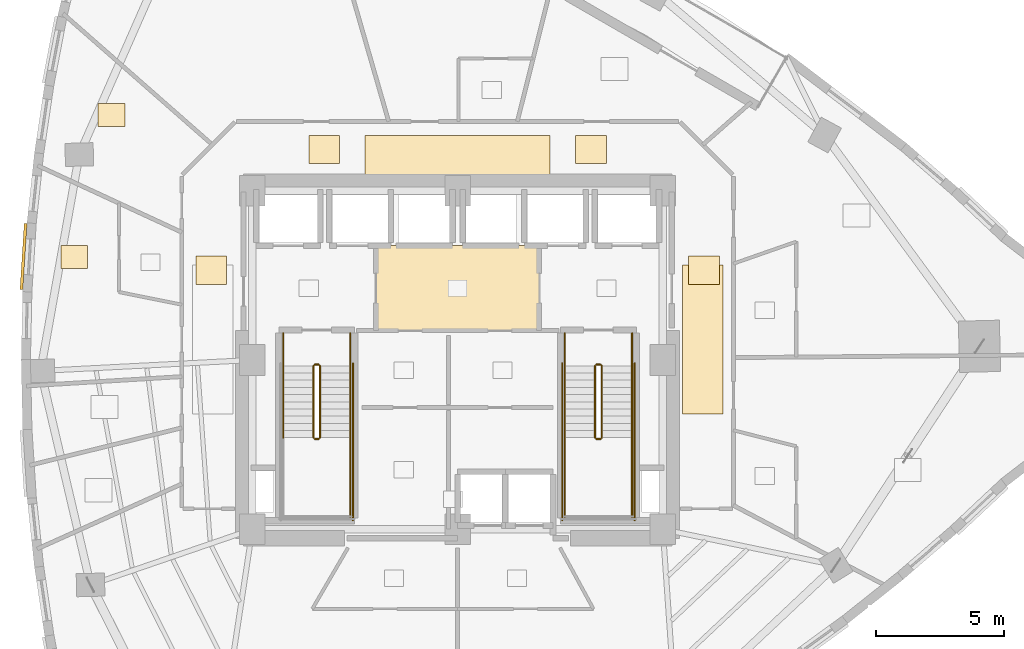
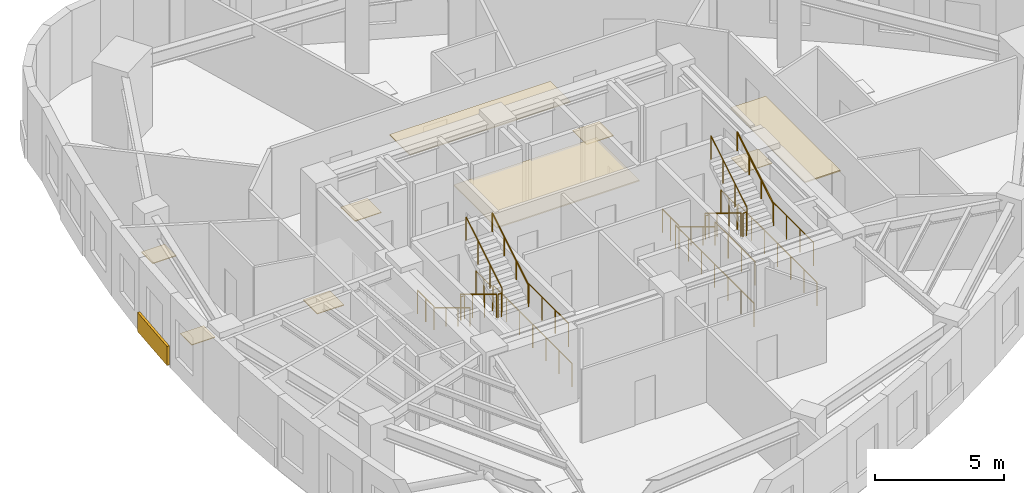
# One storey, part 13 of 14: 22 railings, 10 coverings.
"""IFC4 building model written with IfcOpenShell, lengths in metres."""

from ifc_helpers import new_model, si_unit, direction, frame, origin, origin_2d, place, context, subcontext, project, spatial, rectangle, circle, extrude, material, layer, layer_set, type_object, element, save


model = new_model("IFC4")

# Units and contexts
model_context = context("Model", 3, precision=1e-05, world=origin(), true_north=direction((0.0, 1.0)))
body_context = subcontext(model_context, "Body", "Model", "MODEL_VIEW")
ifc_project = project(units=[si_unit("LENGTHUNIT", "METRE"), si_unit("AREAUNIT", "SQUARE_METRE"), si_unit("VOLUMEUNIT", "CUBIC_METRE"), si_unit("PLANEANGLEUNIT", "RADIAN"), si_unit("MASSUNIT", "GRAM", prefix="KILO")], contexts=[model_context])

# Site, building, storey
site_placement = place(None, origin())
site = spatial("IfcSite", under=ifc_project, at=site_placement, CompositionType="ELEMENT")
building_placement = place(site_placement, origin())
building = spatial("IfcBuilding", under=site, at=building_placement, Name="Ndelora Gate Hotel", CompositionType="ELEMENT")
storey_placement = place(building_placement, frame((0.0, 0.0, 127.25)))
storey = spatial("IfcBuildingStorey", under=building, at=storey_placement, Name="L31", CompositionType="ELEMENT", Elevation=127.25)

# Coverings
ifc_material_1 = material(Name="Perforated Acoustic Gypsum Board", Category="gypsum")
ifc_layer_1 = layer(ifc_material_1, 0.054931640625)
ifc_layer_set_1 = layer_set([ifc_layer_1], Name="Perforated Acoustic Gypsum Board")
covering_type_1 = type_object("IfcCoveringType", Name="COV-CEIL-AC60", PredefinedType="CEILING", material=ifc_layer_set_1)
covering_1_placement = place(storey_placement, frame((0.0, 2.800048828125, 2.72265625), z_axis=(0.0, 0.0, 1.0), x_axis=(1.0, 0.0, 0.0)))
element("IfcCovering", 1, at=covering_1_placement, inside=storey, type_object=covering_type_1, Name="L31 Lift Lobby Acoustic Ceiling", PredefinedType="CEILING", context=body_context, shape_type="SweptSolid", body=[
    extrude(rectangle(XDim=6.39990234375, YDim=3.340087890625, at=origin_2d()), origin(), (0.0, 0.0, 1.0), 0.054931640625),
])
covering_2_placement = place(storey_placement, frame((0.0, 7.9599609375, 2.65234375), z_axis=(0.0, 0.0, 1.0), x_axis=(1.0, 0.0, 0.0)))
element("IfcCovering", 2, at=covering_2_placement, inside=storey, type_object=covering_type_1, Name="L31 Guest Corridor Acoustic Ceiling N", PredefinedType="CEILING", context=body_context, shape_type="SweptSolid", body=[
    extrude(rectangle(XDim=7.199951171875, YDim=1.580078125, at=origin_2d()), origin(), (0.0, 0.0, 1.0), 0.054931640625),
])
covering_3_placement = place(storey_placement, frame((9.550048828125, 0.800048828125, 2.65234375), z_axis=(0.0, 0.0, 1.0), x_axis=(1.0, 0.0, 0.0)))
element("IfcCovering", 3, at=covering_3_placement, inside=storey, type_object=covering_type_1, Name="L31 Guest Corridor Acoustic Ceiling E", PredefinedType="CEILING", context=body_context, shape_type="SweptSolid", body=[
    extrude(rectangle(XDim=1.580078125, YDim=5.800048828125, at=origin_2d()), origin(), (0.0, 0.0, 1.0), 0.054931640625),
])
ifc_material_2 = material(Name="Terracotta Fired Clay Brick Slip Cladding", Category="masonry")
ifc_layer_2 = layer(ifc_material_2, 0.110107421875)
ifc_layer_set_2 = layer_set([ifc_layer_2], Name="Terracotta Fired Clay Brick Slip Cladding")
covering_type_2 = type_object("IfcCoveringType", Name="COV-CLAD-BRK", PredefinedType="CLADDING", material=ifc_layer_set_2)
covering_4_placement = place(storey_placement, frame((-16.9208984375, 4.033203125, 0.10009765625), z_axis=(0.0, 0.0, 1.0), x_axis=(0.063661438132, 0.99797155335, 0.0)))
element("IfcCovering", 4, at=covering_4_placement, inside=storey, type_object=covering_type_2, Name="L31 Rounded-Corner Brick Cladding Band 13", PredefinedType="CLADDING", context=body_context, shape_type="SweptSolid", body=[
    extrude(rectangle(XDim=2.583984375, YDim=0.110107421875, at=origin_2d()), origin(), (0.0, 0.0, 1.0), 0.89990234375),
])
ifc_material_3 = material(Name="Engineered Highland Oak Parquet", Category="wood")
ifc_layer_3 = layer(ifc_material_3, 0.030029296875)
ifc_layer_set_3 = layer_set([ifc_layer_3], Name="Engineered Highland Oak Parquet")
covering_type_3 = type_object("IfcCoveringType", Name="COV-FLR-PARQ", PredefinedType="FLOORING", material=ifc_layer_set_3)
for number, where, z_axis, x_axis, name in (
    (5, (-13.49609375, 9.548828125, 0.0), (0.0, 0.0, 1.0), (1.0, 0.0, 0.0), "L31 Butler Finishing Kitchen Oak Parquet Flooring"),
    (6, (-14.9443359375, 4.015869140625, 0.0), (0.0, 0.0, 1.0), (1.0, 0.0, 0.0), "L31 Club Superior Guest Room 3406 Oak Parquet Flooring"),
):
    element("IfcCovering", number, at=place(storey_placement, frame(where, z_axis=z_axis, x_axis=x_axis)), inside=storey, type_object=covering_type_3, Name=name, PredefinedType="FLOORING", context=body_context, shape_type="SweptSolid", body=[
        extrude(rectangle(XDim=1.050048828125, YDim=0.89990234375, at=origin_2d()), origin(), (0.0, 0.0, 1.0), 0.030029296875),
    ])
ifc_material_4 = material(Name="Polished Highland Stone Terrazzo", Category="masonry")
ifc_layer_4 = layer(ifc_material_4, 0.034912109375)
ifc_layer_set_4 = layer_set([ifc_layer_4], Name="Polished Highland Stone Terrazzo")
covering_type_4 = type_object("IfcCoveringType", Name="COV-FLR-TERZ", PredefinedType="FLOORING", material=ifc_layer_set_4)
for number, where, z_axis, x_axis, name in (
    (7, (-5.199951171875, 8.199951171875, 0.0), (0.0, 0.0, 1.0), (1.0, 0.0, 0.0), "L31 Corridor Threshold Terrazzo Inlay NW"),
    (8, (5.199951171875, 8.199951171875, 0.0), (0.0, 0.0, 1.0), (1.0, 0.0, 0.0), "L31 Corridor Threshold Terrazzo Inlay NE"),
    (9, (-9.60009765625, 3.5, 0.0), (0.0, 0.0, 1.0), (1.0, 0.0, 0.0), "L31 Corridor Threshold Terrazzo Inlay W"),
    (10, (9.60009765625, 3.5, 0.0), (0.0, 0.0, 1.0), (1.0, 0.0, 0.0), "L31 Corridor Threshold Terrazzo Inlay E"),
):
    element("IfcCovering", number, at=place(storey_placement, frame(where, z_axis=z_axis, x_axis=x_axis)), inside=storey, type_object=covering_type_4, Name=name, PredefinedType="FLOORING", context=body_context, shape_type="SweptSolid", body=[
        extrude(rectangle(XDim=1.199951171875, YDim=1.10009765625, at=origin_2d()), origin(), (0.0, 0.0, 1.0), 0.034912109375),
    ])

# Railings
ifc_material_5 = material(Name="Painted Galvanized Steel Balustrade", Category="steel")
ifc_layer_5 = layer(ifc_material_5, 0.06005859375)
ifc_layer_set_5 = layer_set([ifc_layer_5], Name="Painted Galvanized Steel Balustrade")
railing_type_1 = type_object("IfcRailingType", Name="RL-STAIR-GD", PredefinedType="GUARDRAIL", material=ifc_layer_set_5)
railing_1_placement = place(storey_placement, frame((-5.6201171875, -0.22998046875, 0.17041015625)))
element("IfcRailing", 11, at=railing_1_placement, inside=storey, type_object=railing_type_1, Name="L31 ST4 stair guard 1", PredefinedType="GUARDRAIL", context=body_context, shape_type="SweptSolid", body=[
    extrude(circle(Radius=0.02392578125, at=origin_2d()), frame((0.0, 0.0, 1.10595703125), z_axis=(0.0, -0.854169791009, 0.51999420009), x_axis=(1.0, 0.0, 0.0)), (0.0, 0.0, 1.0), 3.278076171875),
    extrude(circle(Radius=0.02099609375, at=origin_2d()), origin(), (0.0, 0.0, 1.0), 1.081787109375),
    extrude(circle(Radius=0.02099609375, at=origin_2d()), frame((0.0, -0.933349609375, 0.568115234375)), (0.0, 0.0, 1.0), 1.081787109375),
    extrude(circle(Radius=0.02099609375, at=origin_2d()), frame((0.0, -1.86669921875, 1.136474609375)), (0.0, 0.0, 1.0), 1.081787109375),
    extrude(circle(Radius=0.02099609375, at=origin_2d()), frame((0.0, -2.800048828125, 1.70458984375)), (0.0, 0.0, 1.0), 1.081787109375),
])
railing_2_placement = place(storey_placement, frame((-5.570068359375, -3.080078125, 1.875)))
element("IfcRailing", 12, at=railing_2_placement, inside=storey, type_object=railing_type_1, Name="L31 ST4 stair guard 2", PredefinedType="GUARDRAIL", context=body_context, shape_type="SweptSolid", body=[
    extrude(circle(Radius=0.02392578125, at=origin_2d()), frame((0.0, 0.0, 1.10595703125), z_axis=(1.0, 0.0, 0.0), x_axis=(0.0, 1.0, 0.0)), (0.0, 0.0, 1.0), 0.16015625),
    extrude(circle(Radius=0.02099609375, at=origin_2d()), origin(), (0.0, 0.0, 1.0), 1.081787109375),
    extrude(circle(Radius=0.02099609375, at=origin_2d()), frame((0.16015625, 0.0, 0.0)), (0.0, 0.0, 1.0), 1.081787109375),
])
railing_3_placement = place(storey_placement, frame((-4.179931640625, -3.030029296875, 1.875)))
element("IfcRailing", 13, at=railing_3_placement, inside=storey, type_object=railing_type_1, Name="L31 ST4 stair guard 4", PredefinedType="GUARDRAIL", context=body_context, shape_type="SweptSolid", body=[
    extrude(circle(Radius=0.02392578125, at=origin_2d()), frame((0.0, 0.0, 1.10595703125), z_axis=(0.0, -1.0, 0.0), x_axis=(1.0, 0.0, 0.0)), (0.0, 0.0, 1.0), 3.119873046875),
    extrude(circle(Radius=0.02099609375, at=origin_2d()), origin(), (0.0, 0.0, 1.0), 1.081787109375),
    extrude(circle(Radius=0.02099609375, at=origin_2d()), frame((0.0, -1.0400390625, 0.0)), (0.0, 0.0, 1.0), 1.081787109375),
    extrude(circle(Radius=0.02099609375, at=origin_2d()), frame((0.0, -2.079833984375, 0.0)), (0.0, 0.0, 1.0), 1.081787109375),
    extrude(circle(Radius=0.02099609375, at=origin_2d()), frame((0.0, -3.119873046875, 0.0)), (0.0, 0.0, 1.0), 1.081787109375),
])
railing_4_placement = place(storey_placement, frame((-5.360107421875, -3.030029296875, 2.04541015625)))
element("IfcRailing", 14, at=railing_4_placement, inside=storey, type_object=railing_type_1, Name="L31 ST4 stair guard 6", PredefinedType="GUARDRAIL", context=body_context, shape_type="SweptSolid", body=[
    extrude(circle(Radius=0.02392578125, at=origin_2d()), frame((0.0, 0.0, 1.10595703125), z_axis=(0.0, 0.854169791009, 0.51999420009), x_axis=(-1.0, 0.0, 0.0)), (0.0, 0.0, 1.0), 3.278076171875),
    extrude(circle(Radius=0.02099609375, at=origin_2d()), origin(), (0.0, 0.0, 1.0), 1.081787109375),
    extrude(circle(Radius=0.02099609375, at=origin_2d()), frame((0.0, 0.933349609375, 0.568115234375)), (0.0, 0.0, 1.0), 1.081787109375),
    extrude(circle(Radius=0.02099609375, at=origin_2d()), frame((0.0, 1.86669921875, 1.136474609375)), (0.0, 0.0, 1.0), 1.081787109375),
    extrude(circle(Radius=0.02099609375, at=origin_2d()), frame((0.0, 2.800048828125, 1.70458984375)), (0.0, 0.0, 1.0), 1.081787109375),
])
railing_5_placement = place(storey_placement, frame((-5.570068359375, -0.179931640625, 0.0)))
element("IfcRailing", 15, at=railing_5_placement, inside=storey, type_object=railing_type_1, Name="L31 ST4 stair guard 7", PredefinedType="GUARDRAIL", context=body_context, shape_type="SweptSolid", body=[
    extrude(circle(Radius=0.02392578125, at=origin_2d()), frame((0.0, 0.0, 1.10595703125), z_axis=(1.0, 0.0, 0.0), x_axis=(0.0, 1.0, 0.0)), (0.0, 0.0, 1.0), 0.16015625),
    extrude(circle(Radius=0.02099609375, at=origin_2d()), origin(), (0.0, 0.0, 1.0), 1.081787109375),
    extrude(circle(Radius=0.02099609375, at=origin_2d()), frame((0.16015625, 0.0, 0.0)), (0.0, 0.0, 1.0), 1.081787109375),
])
for number, where, name in (
    (16, (-6.800048828125, 1.050048828125, 0.0), "L31 ST4 stair guard 8"),
    (17, (-4.179931640625, 1.050048828125, 0.0), "L31 ST4 stair guard 9"),
):
    element("IfcRailing", number, at=place(storey_placement, frame(where)), inside=storey, type_object=railing_type_1, Name=name, PredefinedType="GUARDRAIL", context=body_context, shape_type="SweptSolid", body=[
        extrude(circle(Radius=0.02392578125, at=origin_2d()), frame((0.0, 0.0, 1.10595703125), z_axis=(0.0, -1.0, 0.0), x_axis=(1.0, 0.0, 0.0)), (0.0, 0.0, 1.0), 1.280029296875),
        extrude(circle(Radius=0.02099609375, at=origin_2d()), origin(), (0.0, 0.0, 1.0), 1.081787109375),
        extrude(circle(Radius=0.02099609375, at=origin_2d()), frame((0.0, -0.64013671875, 0.0)), (0.0, 0.0, 1.0), 1.081787109375),
        extrude(circle(Radius=0.02099609375, at=origin_2d()), frame((0.0, -1.280029296875, 0.0)), (0.0, 0.0, 1.0), 1.081787109375),
    ])
railing_6_placement = place(storey_placement, frame((-4.080078125, -0.1298828125, 0.0)))
element("IfcRailing", 18, at=railing_6_placement, inside=storey, type_object=railing_type_1, Name="L31 ST4 stair guard 11", PredefinedType="GUARDRAIL", context=body_context, shape_type="SweptSolid", body=[
    extrude(circle(Radius=0.02392578125, at=origin_2d()), frame((0.0, 0.0, 1.10595703125), z_axis=(0.0, -1.0, 0.0), x_axis=(1.0, 0.0, 0.0)), (0.0, 0.0, 1.0), 6.1201171875),
    extrude(circle(Radius=0.02099609375, at=origin_2d()), origin(), (0.0, 0.0, 1.0), 1.081787109375),
    extrude(circle(Radius=0.02099609375, at=origin_2d()), frame((0.0, -1.02001953125, 0.0)), (0.0, 0.0, 1.0), 1.081787109375),
    extrude(circle(Radius=0.02099609375, at=origin_2d()), frame((0.0, -2.0400390625, 0.0)), (0.0, 0.0, 1.0), 1.081787109375),
    extrude(circle(Radius=0.02099609375, at=origin_2d()), frame((0.0, -3.06005859375, 0.0)), (0.0, 0.0, 1.0), 1.081787109375),
    extrude(circle(Radius=0.02099609375, at=origin_2d()), frame((0.0, -4.080078125, 0.0)), (0.0, 0.0, 1.0), 1.081787109375),
    extrude(circle(Radius=0.02099609375, at=origin_2d()), frame((0.0, -5.10009765625, 0.0)), (0.0, 0.0, 1.0), 1.081787109375),
    extrude(circle(Radius=0.02099609375, at=origin_2d()), frame((0.0, -6.1201171875, 0.0)), (0.0, 0.0, 1.0), 1.081787109375),
])
railing_7_placement = place(storey_placement, frame((5.360107421875, -0.22998046875, 0.17041015625)))
element("IfcRailing", 19, at=railing_7_placement, inside=storey, type_object=railing_type_1, Name="L31 ST5 stair guard 1", PredefinedType="GUARDRAIL", context=body_context, shape_type="SweptSolid", body=[
    extrude(circle(Radius=0.02392578125, at=origin_2d()), frame((0.0, 0.0, 1.10595703125), z_axis=(0.0, -0.854169791009, 0.51999420009), x_axis=(1.0, 0.0, 0.0)), (0.0, 0.0, 1.0), 3.278076171875),
    extrude(circle(Radius=0.02099609375, at=origin_2d()), origin(), (0.0, 0.0, 1.0), 1.081787109375),
    extrude(circle(Radius=0.02099609375, at=origin_2d()), frame((0.0, -0.933349609375, 0.568115234375)), (0.0, 0.0, 1.0), 1.081787109375),
    extrude(circle(Radius=0.02099609375, at=origin_2d()), frame((0.0, -1.86669921875, 1.136474609375)), (0.0, 0.0, 1.0), 1.081787109375),
    extrude(circle(Radius=0.02099609375, at=origin_2d()), frame((0.0, -2.800048828125, 1.70458984375)), (0.0, 0.0, 1.0), 1.081787109375),
])
railing_8_placement = place(storey_placement, frame((5.409912109375, -3.080078125, 1.875)))
element("IfcRailing", 20, at=railing_8_placement, inside=storey, type_object=railing_type_1, Name="L31 ST5 stair guard 2", PredefinedType="GUARDRAIL", context=body_context, shape_type="SweptSolid", body=[
    extrude(circle(Radius=0.02392578125, at=origin_2d()), frame((0.0, 0.0, 1.10595703125), z_axis=(1.0, 0.0, 0.0), x_axis=(0.0, 1.0, 0.0)), (0.0, 0.0, 1.0), 0.16015625),
    extrude(circle(Radius=0.02099609375, at=origin_2d()), origin(), (0.0, 0.0, 1.0), 1.081787109375),
    extrude(circle(Radius=0.02099609375, at=origin_2d()), frame((0.16015625, 0.0, 0.0)), (0.0, 0.0, 1.0), 1.081787109375),
])
for number, where, name in (
    (21, (4.179931640625, -3.030029296875, 1.875), "L31 ST5 stair guard 3"),
    (22, (6.800048828125, -3.030029296875, 1.875), "L31 ST5 stair guard 4"),
):
    element("IfcRailing", number, at=place(storey_placement, frame(where)), inside=storey, type_object=railing_type_1, Name=name, PredefinedType="GUARDRAIL", context=body_context, shape_type="SweptSolid", body=[
        extrude(circle(Radius=0.02392578125, at=origin_2d()), frame((0.0, 0.0, 1.10595703125), z_axis=(0.0, -1.0, 0.0), x_axis=(1.0, 0.0, 0.0)), (0.0, 0.0, 1.0), 3.119873046875),
        extrude(circle(Radius=0.02099609375, at=origin_2d()), origin(), (0.0, 0.0, 1.0), 1.081787109375),
        extrude(circle(Radius=0.02099609375, at=origin_2d()), frame((0.0, -1.0400390625, 0.0)), (0.0, 0.0, 1.0), 1.081787109375),
        extrude(circle(Radius=0.02099609375, at=origin_2d()), frame((0.0, -2.079833984375, 0.0)), (0.0, 0.0, 1.0), 1.081787109375),
        extrude(circle(Radius=0.02099609375, at=origin_2d()), frame((0.0, -3.119873046875, 0.0)), (0.0, 0.0, 1.0), 1.081787109375),
    ])
railing_9_placement = place(storey_placement, frame((5.6201171875, -3.030029296875, 2.04541015625)))
element("IfcRailing", 23, at=railing_9_placement, inside=storey, type_object=railing_type_1, Name="L31 ST5 stair guard 6", PredefinedType="GUARDRAIL", context=body_context, shape_type="SweptSolid", body=[
    extrude(circle(Radius=0.02392578125, at=origin_2d()), frame((0.0, 0.0, 1.10595703125), z_axis=(0.0, 0.854169791009, 0.51999420009), x_axis=(-1.0, 0.0, 0.0)), (0.0, 0.0, 1.0), 3.278076171875),
    extrude(circle(Radius=0.02099609375, at=origin_2d()), origin(), (0.0, 0.0, 1.0), 1.081787109375),
    extrude(circle(Radius=0.02099609375, at=origin_2d()), frame((0.0, 0.933349609375, 0.568115234375)), (0.0, 0.0, 1.0), 1.081787109375),
    extrude(circle(Radius=0.02099609375, at=origin_2d()), frame((0.0, 1.86669921875, 1.136474609375)), (0.0, 0.0, 1.0), 1.081787109375),
    extrude(circle(Radius=0.02099609375, at=origin_2d()), frame((0.0, 2.800048828125, 1.70458984375)), (0.0, 0.0, 1.0), 1.081787109375),
])
railing_10_placement = place(storey_placement, frame((5.409912109375, -0.179931640625, 0.0)))
element("IfcRailing", 24, at=railing_10_placement, inside=storey, type_object=railing_type_1, Name="L31 ST5 stair guard 7", PredefinedType="GUARDRAIL", context=body_context, shape_type="SweptSolid", body=[
    extrude(circle(Radius=0.02392578125, at=origin_2d()), frame((0.0, 0.0, 1.10595703125), z_axis=(1.0, 0.0, 0.0), x_axis=(0.0, 1.0, 0.0)), (0.0, 0.0, 1.0), 0.16015625),
    extrude(circle(Radius=0.02099609375, at=origin_2d()), origin(), (0.0, 0.0, 1.0), 1.081787109375),
    extrude(circle(Radius=0.02099609375, at=origin_2d()), frame((0.16015625, 0.0, 0.0)), (0.0, 0.0, 1.0), 1.081787109375),
])
for number, where, name in (
    (25, (4.179931640625, 1.050048828125, 0.0), "L31 ST5 stair guard 8"),
    (26, (6.800048828125, 1.050048828125, 0.0), "L31 ST5 stair guard 9"),
):
    element("IfcRailing", number, at=place(storey_placement, frame(where)), inside=storey, type_object=railing_type_1, Name=name, PredefinedType="GUARDRAIL", context=body_context, shape_type="SweptSolid", body=[
        extrude(circle(Radius=0.02392578125, at=origin_2d()), frame((0.0, 0.0, 1.10595703125), z_axis=(0.0, -1.0, 0.0), x_axis=(1.0, 0.0, 0.0)), (0.0, 0.0, 1.0), 1.280029296875),
        extrude(circle(Radius=0.02099609375, at=origin_2d()), origin(), (0.0, 0.0, 1.0), 1.081787109375),
        extrude(circle(Radius=0.02099609375, at=origin_2d()), frame((0.0, -0.64013671875, 0.0)), (0.0, 0.0, 1.0), 1.081787109375),
        extrude(circle(Radius=0.02099609375, at=origin_2d()), frame((0.0, -1.280029296875, 0.0)), (0.0, 0.0, 1.0), 1.081787109375),
    ])
for number, where, name in (
    (27, (4.080078125, -0.1298828125, 0.0), "L31 ST5 stair guard 10"),
    (28, (6.89990234375, -0.1298828125, 0.0), "L31 ST5 stair guard 11"),
):
    element("IfcRailing", number, at=place(storey_placement, frame(where)), inside=storey, type_object=railing_type_1, Name=name, PredefinedType="GUARDRAIL", context=body_context, shape_type="SweptSolid", body=[
        extrude(circle(Radius=0.02392578125, at=origin_2d()), frame((0.0, 0.0, 1.10595703125), z_axis=(0.0, -1.0, 0.0), x_axis=(1.0, 0.0, 0.0)), (0.0, 0.0, 1.0), 6.1201171875),
        extrude(circle(Radius=0.02099609375, at=origin_2d()), origin(), (0.0, 0.0, 1.0), 1.081787109375),
        extrude(circle(Radius=0.02099609375, at=origin_2d()), frame((0.0, -1.02001953125, 0.0)), (0.0, 0.0, 1.0), 1.081787109375),
        extrude(circle(Radius=0.02099609375, at=origin_2d()), frame((0.0, -2.0400390625, 0.0)), (0.0, 0.0, 1.0), 1.081787109375),
        extrude(circle(Radius=0.02099609375, at=origin_2d()), frame((0.0, -3.06005859375, 0.0)), (0.0, 0.0, 1.0), 1.081787109375),
        extrude(circle(Radius=0.02099609375, at=origin_2d()), frame((0.0, -4.080078125, 0.0)), (0.0, 0.0, 1.0), 1.081787109375),
        extrude(circle(Radius=0.02099609375, at=origin_2d()), frame((0.0, -5.10009765625, 0.0)), (0.0, 0.0, 1.0), 1.081787109375),
        extrude(circle(Radius=0.02099609375, at=origin_2d()), frame((0.0, -6.1201171875, 0.0)), (0.0, 0.0, 1.0), 1.081787109375),
    ])
ifc_material_6 = material(Name="Brushed Stainless Steel 316", Category="steel")
ifc_layer_6 = layer(ifc_material_6, 0.050048828125)
ifc_layer_set_6 = layer_set([ifc_layer_6], Name="Brushed Stainless Steel 316")
railing_type_2 = type_object("IfcRailingType", Name="RL-STAIR-HR", PredefinedType="HANDRAIL", material=ifc_layer_set_6)
railing_11_placement = place(storey_placement, frame((-6.800048828125, -0.22998046875, 0.17041015625)))
element("IfcRailing", 29, at=railing_11_placement, inside=storey, type_object=railing_type_2, Name="L31 ST4 stair handrail 1", PredefinedType="HANDRAIL", context=body_context, shape_type="SweptSolid", body=[
    extrude(circle(Radius=0.02392578125, at=origin_2d()), frame((0.0, 0.0, 0.8759765625), z_axis=(0.0, -0.854169791009, 0.51999420009), x_axis=(1.0, 0.0, 0.0)), (0.0, 0.0, 1.0), 3.278076171875),
    extrude(circle(Radius=0.02099609375, at=origin_2d()), origin(), (0.0, 0.0, 1.0), 0.851806640625),
    extrude(circle(Radius=0.02099609375, at=origin_2d()), frame((0.0, -0.933349609375, 0.568115234375)), (0.0, 0.0, 1.0), 0.851806640625),
    extrude(circle(Radius=0.02099609375, at=origin_2d()), frame((0.0, -1.86669921875, 1.136474609375)), (0.0, 0.0, 1.0), 0.851806640625),
    extrude(circle(Radius=0.02099609375, at=origin_2d()), frame((0.0, -2.800048828125, 1.70458984375)), (0.0, 0.0, 1.0), 0.851806640625),
])
railing_12_placement = place(storey_placement, frame((-4.179931640625, -3.030029296875, 2.04541015625)))
element("IfcRailing", 30, at=railing_12_placement, inside=storey, type_object=railing_type_2, Name="L31 ST4 stair handrail 2", PredefinedType="HANDRAIL", context=body_context, shape_type="SweptSolid", body=[
    extrude(circle(Radius=0.02392578125, at=origin_2d()), frame((0.0, 0.0, 0.8759765625), z_axis=(0.0, 0.854169791009, 0.51999420009), x_axis=(-1.0, 0.0, 0.0)), (0.0, 0.0, 1.0), 3.278076171875),
    extrude(circle(Radius=0.02099609375, at=origin_2d()), origin(), (0.0, 0.0, 1.0), 0.851806640625),
    extrude(circle(Radius=0.02099609375, at=origin_2d()), frame((0.0, 0.933349609375, 0.568115234375)), (0.0, 0.0, 1.0), 0.851806640625),
    extrude(circle(Radius=0.02099609375, at=origin_2d()), frame((0.0, 1.86669921875, 1.136474609375)), (0.0, 0.0, 1.0), 0.851806640625),
    extrude(circle(Radius=0.02099609375, at=origin_2d()), frame((0.0, 2.800048828125, 1.70458984375)), (0.0, 0.0, 1.0), 0.851806640625),
])
railing_13_placement = place(storey_placement, frame((4.179931640625, -0.22998046875, 0.17041015625)))
element("IfcRailing", 31, at=railing_13_placement, inside=storey, type_object=railing_type_2, Name="L31 ST5 stair handrail 1", PredefinedType="HANDRAIL", context=body_context, shape_type="SweptSolid", body=[
    extrude(circle(Radius=0.02392578125, at=origin_2d()), frame((0.0, 0.0, 0.8759765625), z_axis=(0.0, -0.854169791009, 0.51999420009), x_axis=(1.0, 0.0, 0.0)), (0.0, 0.0, 1.0), 3.278076171875),
    extrude(circle(Radius=0.02099609375, at=origin_2d()), origin(), (0.0, 0.0, 1.0), 0.851806640625),
    extrude(circle(Radius=0.02099609375, at=origin_2d()), frame((0.0, -0.933349609375, 0.568115234375)), (0.0, 0.0, 1.0), 0.851806640625),
    extrude(circle(Radius=0.02099609375, at=origin_2d()), frame((0.0, -1.86669921875, 1.136474609375)), (0.0, 0.0, 1.0), 0.851806640625),
    extrude(circle(Radius=0.02099609375, at=origin_2d()), frame((0.0, -2.800048828125, 1.70458984375)), (0.0, 0.0, 1.0), 0.851806640625),
])
railing_14_placement = place(storey_placement, frame((6.800048828125, -3.030029296875, 2.04541015625)))
element("IfcRailing", 32, at=railing_14_placement, inside=storey, type_object=railing_type_2, Name="L31 ST5 stair handrail 2", PredefinedType="HANDRAIL", context=body_context, shape_type="SweptSolid", body=[
    extrude(circle(Radius=0.02392578125, at=origin_2d()), frame((0.0, 0.0, 0.8759765625), z_axis=(0.0, 0.854169791009, 0.51999420009), x_axis=(-1.0, 0.0, 0.0)), (0.0, 0.0, 1.0), 3.278076171875),
    extrude(circle(Radius=0.02099609375, at=origin_2d()), origin(), (0.0, 0.0, 1.0), 0.851806640625),
    extrude(circle(Radius=0.02099609375, at=origin_2d()), frame((0.0, 0.933349609375, 0.568115234375)), (0.0, 0.0, 1.0), 0.851806640625),
    extrude(circle(Radius=0.02099609375, at=origin_2d()), frame((0.0, 1.86669921875, 1.136474609375)), (0.0, 0.0, 1.0), 0.851806640625),
    extrude(circle(Radius=0.02099609375, at=origin_2d()), frame((0.0, 2.800048828125, 1.70458984375)), (0.0, 0.0, 1.0), 0.851806640625),
])

save(model, "model.ifc")
